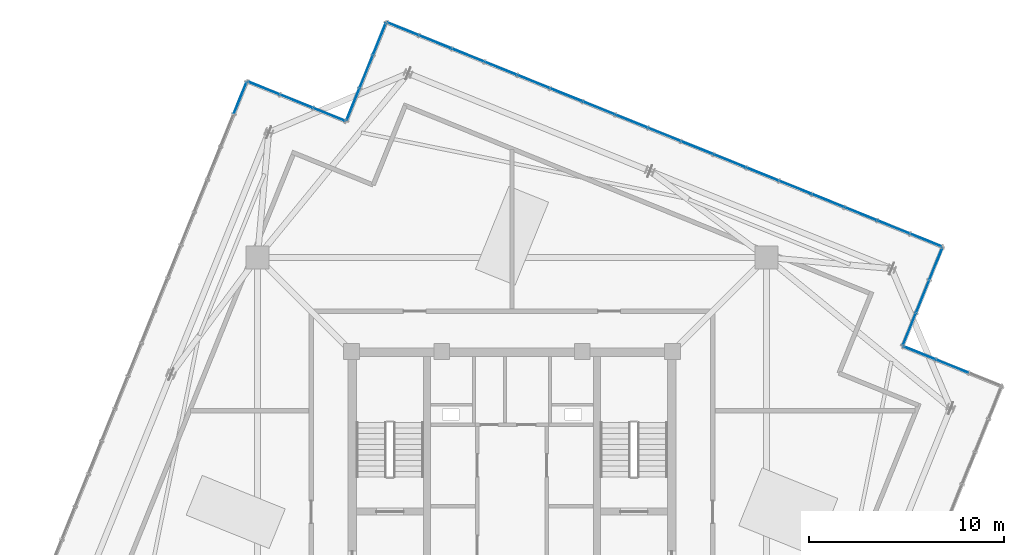
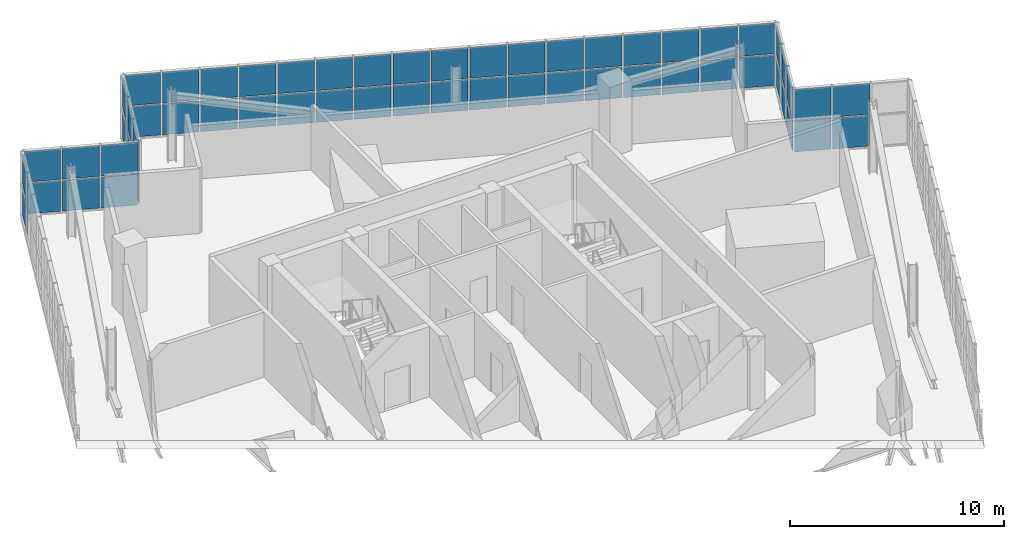
# One storey, part 20 of 26: 58 plates, 6 elements without a shape of their own.
"""IFC4 building model written with IfcOpenShell, lengths in metres."""

from ifc_helpers import new_model, si_unit, direction, frame, origin, origin_2d, place, context, subcontext, project, spatial, rectangle, extrude, source, transform, mapped, material, layer, layer_set, type_object, element, aggregate, save


model = new_model("IFC4")

# Units and contexts
model_context = context("Model", 3, precision=1e-05, world=origin(), true_north=direction((0.0, 1.0)))
body_context = subcontext(model_context, "Body", "Model", "MODEL_VIEW")
ifc_project = project(units=[si_unit("LENGTHUNIT", "METRE"), si_unit("AREAUNIT", "SQUARE_METRE"), si_unit("VOLUMEUNIT", "CUBIC_METRE"), si_unit("PLANEANGLEUNIT", "RADIAN"), si_unit("MASSUNIT", "GRAM", prefix="KILO"), si_unit("THERMODYNAMICTEMPERATUREUNIT", "KELVIN")], contexts=[model_context])

# Site, building, storey
site_placement = place(None, origin())
site = spatial("IfcSite", under=ifc_project, at=site_placement, CompositionType="ELEMENT")
building_placement = place(site_placement, origin())
building = spatial("IfcBuilding", under=site, at=building_placement, Name="Kosmvard Interchange Tower", CompositionType="ELEMENT")
storey_placement = place(building_placement, frame((0.0, 0.0, 325.60009765625)))
storey = spatial("IfcBuildingStorey", under=building, at=storey_placement, Name="L80", CompositionType="ELEMENT", Elevation=325.60009765625)

# Curtain wall, plates
ifc_material_1 = material(Name="Architectural anodised aluminium", Category="aluminium")
ifc_layer_1 = layer(ifc_material_1, 0.25, Name="Architectural anodised aluminium")
ifc_layer_set_1 = layer_set([ifc_layer_1], Name="Architectural anodised aluminium")
curtain_wall_type = type_object("IfcCurtainWallType", Name="CW-6 Illuminated Crown Lantern Curtain Wall", PredefinedType="NOTDEFINED", material=ifc_layer_set_1)
curtain_wall_1_placement = place(storey_placement, origin())
curtain_wall_1 = element("IfcCurtainWall", 1, at=curtain_wall_1_placement, inside=storey, type_object=curtain_wall_type, Name="L80 Crown Lantern Glazing Face 04", PredefinedType="NOTDEFINED")
ifc_material_2 = material(Name="Laminated acoustic lantern glazing", Category="glass")
ifc_layer_2 = layer(ifc_material_2, 0.035888671875, Name="Laminated acoustic lantern glazing")
ifc_layer_set_2 = layer_set([ifc_layer_2], Name="Laminated acoustic lantern glazing")
plate_type = type_object("IfcPlateType", Name="Lantern Diffused Illuminated Panel 36", PredefinedType="CURTAIN_PANEL", material=ifc_layer_set_2)
shared_shape_1 = source(origin(), body_context, "Body", "SweptSolid", [
    extrude(rectangle(XDim=1.694091796875, YDim=0.035888671875, at=origin_2d()), origin(), (0.0, 0.0, 1.0), 1.7451171875),
])
plate_1_placement = place(storey_placement, frame((21.2744140625, 13.967529296875, 0.06982421875), z_axis=(0.0, 0.0, 1.0), x_axis=(-0.927183858065, 0.374606584758, 0.0)))
plate_1 = element("IfcPlate", 2, at=plate_1_placement, type_object=plate_type, Name="CW-6 panel 1.1", PredefinedType="CURTAIN_PANEL", context=body_context, shape_type="MappedRepresentation", body=[
    mapped(shared_shape_1, transform((0.0, 0.0, 0.0), scale=1.0)),
])
plate_2_placement = place(storey_placement, frame((21.2744140625, 13.967529296875, 1.884765625), z_axis=(0.0, 0.0, 1.0), x_axis=(-0.927183858065, 0.374606584758, 0.0)))
plate_2 = element("IfcPlate", 3, at=plate_2_placement, type_object=plate_type, Name="CW-6 panel 1.2", PredefinedType="CURTAIN_PANEL", context=body_context, shape_type="MappedRepresentation", body=[
    mapped(shared_shape_1, transform((0.0, 0.0, 0.0), scale=1.0)),
])
plate_3_placement = place(storey_placement, frame((-5.600830078125, 24.825927734375, 0.06982421875), z_axis=(0.0, 0.0, 1.0), x_axis=(-0.927183858065, 0.374606584758, 0.0)))
plate_3 = element("IfcPlate", 4, at=plate_3_placement, type_object=plate_type, Name="CW-6 panel 17.1", PredefinedType="CURTAIN_PANEL", context=body_context, shape_type="MappedRepresentation", body=[
    mapped(shared_shape_1, transform((0.0, 0.0, 0.0), scale=1.0)),
])
plate_4_placement = place(storey_placement, frame((-5.600830078125, 24.825927734375, 1.884765625), z_axis=(0.0, 0.0, 1.0), x_axis=(-0.927183858065, 0.374606584758, 0.0)))
plate_4 = element("IfcPlate", 5, at=plate_4_placement, type_object=plate_type, Name="CW-6 panel 17.2", PredefinedType="CURTAIN_PANEL", context=body_context, shape_type="MappedRepresentation", body=[
    mapped(shared_shape_1, transform((0.0, 0.0, 0.0), scale=1.0)),
])

curtain_wall_2_placement = place(storey_placement, origin())
curtain_wall_2 = element("IfcCurtainWall", 6, at=curtain_wall_2_placement, inside=storey, type_object=curtain_wall_type, Name="L80 Crown Lantern Glazing Face 07", PredefinedType="NOTDEFINED")
plate_5_placement = place(storey_placement, frame((-13.967529296875, 21.2744140625, 0.06982421875), z_axis=(0.0, 0.0, 1.0), x_axis=(-0.374606584758, -0.927183858065, 0.0)))
plate_5 = element("IfcPlate", 7, at=plate_5_placement, type_object=plate_type, Name="CW-6 panel 1.1", PredefinedType="CURTAIN_PANEL", context=body_context, shape_type="MappedRepresentation", body=[
    mapped(shared_shape_1, transform((0.0, 0.0, 0.0), scale=1.0)),
])
plate_6_placement = place(storey_placement, frame((-13.967529296875, 21.2744140625, 1.884765625), z_axis=(0.0, 0.0, 1.0), x_axis=(-0.374606584758, -0.927183858065, 0.0)))
plate_6 = element("IfcPlate", 8, at=plate_6_placement, type_object=plate_type, Name="CW-6 panel 1.2", PredefinedType="CURTAIN_PANEL", context=body_context, shape_type="MappedRepresentation", body=[
    mapped(shared_shape_1, transform((0.0, 0.0, 0.0), scale=1.0)),
])
aggregate(curtain_wall_2, [plate_5, plate_6])

# Plate
shared_shape_2 = source(origin(), body_context, "Body", "SweptSolid", [
    extrude(rectangle(XDim=1.734130859375, YDim=0.035888671875, at=origin_2d()), origin(), (0.0, 0.0, 1.0), 1.7451171875),
])
plate_7_placement = place(storey_placement, frame((19.61083984375, 14.6396484375, 0.06982421875), z_axis=(0.0, 0.0, 1.0), x_axis=(-0.927183858065, 0.374606584758, 0.0)))
plate_7 = element("IfcPlate", 9, at=plate_7_placement, type_object=plate_type, Name="CW-6 panel 2.1", PredefinedType="CURTAIN_PANEL", context=body_context, shape_type="MappedRepresentation", body=[
    mapped(shared_shape_2, transform((0.0, 0.0, 0.0), scale=1.0)),
])

plate_8_placement = place(storey_placement, frame((19.61083984375, 14.6396484375, 1.884765625), z_axis=(0.0, 0.0, 1.0), x_axis=(-0.927183858065, 0.374606584758, 0.0)))
plate_8 = element("IfcPlate", 10, at=plate_8_placement, type_object=plate_type, Name="CW-6 panel 2.2", PredefinedType="CURTAIN_PANEL", context=body_context, shape_type="MappedRepresentation", body=[
    mapped(shared_shape_2, transform((0.0, 0.0, 0.0), scale=1.0)),
])

plate_9_placement = place(storey_placement, frame((17.928955078125, 15.319091796875, 0.06982421875), z_axis=(0.0, 0.0, 1.0), x_axis=(-0.927183858065, 0.374606584758, 0.0)))
plate_9 = element("IfcPlate", 11, at=plate_9_placement, type_object=plate_type, Name="CW-6 panel 3.1", PredefinedType="CURTAIN_PANEL", context=body_context, shape_type="MappedRepresentation", body=[
    mapped(shared_shape_2, transform((0.0, 0.0, 0.0), scale=1.0)),
])

plate_10_placement = place(storey_placement, frame((17.928955078125, 15.319091796875, 1.884765625), z_axis=(0.0, 0.0, 1.0), x_axis=(-0.927183858065, 0.374606584758, 0.0)))
plate_10 = element("IfcPlate", 12, at=plate_10_placement, type_object=plate_type, Name="CW-6 panel 3.2", PredefinedType="CURTAIN_PANEL", context=body_context, shape_type="MappedRepresentation", body=[
    mapped(shared_shape_2, transform((0.0, 0.0, 0.0), scale=1.0)),
])

plate_11_placement = place(storey_placement, frame((16.246826171875, 15.998779296875, 0.06982421875), z_axis=(0.0, 0.0, 1.0), x_axis=(-0.927183858065, 0.374606584758, 0.0)))
plate_11 = element("IfcPlate", 13, at=plate_11_placement, type_object=plate_type, Name="CW-6 panel 4.1", PredefinedType="CURTAIN_PANEL", context=body_context, shape_type="MappedRepresentation", body=[
    mapped(shared_shape_2, transform((0.0, 0.0, 0.0), scale=1.0)),
])

plate_12_placement = place(storey_placement, frame((16.246826171875, 15.998779296875, 1.884765625), z_axis=(0.0, 0.0, 1.0), x_axis=(-0.927183858065, 0.374606584758, 0.0)))
plate_12 = element("IfcPlate", 14, at=plate_12_placement, type_object=plate_type, Name="CW-6 panel 4.2", PredefinedType="CURTAIN_PANEL", context=body_context, shape_type="MappedRepresentation", body=[
    mapped(shared_shape_2, transform((0.0, 0.0, 0.0), scale=1.0)),
])

plate_13_placement = place(storey_placement, frame((14.56494140625, 16.678466796875, 0.06982421875), z_axis=(0.0, 0.0, 1.0), x_axis=(-0.927183858065, 0.374606584758, 0.0)))
plate_13 = element("IfcPlate", 15, at=plate_13_placement, type_object=plate_type, Name="CW-6 panel 5.1", PredefinedType="CURTAIN_PANEL", context=body_context, shape_type="MappedRepresentation", body=[
    mapped(shared_shape_2, transform((0.0, 0.0, 0.0), scale=1.0)),
])

plate_14_placement = place(storey_placement, frame((14.56494140625, 16.678466796875, 1.884765625), z_axis=(0.0, 0.0, 1.0), x_axis=(-0.927183858065, 0.374606584758, 0.0)))
plate_14 = element("IfcPlate", 16, at=plate_14_placement, type_object=plate_type, Name="CW-6 panel 5.2", PredefinedType="CURTAIN_PANEL", context=body_context, shape_type="MappedRepresentation", body=[
    mapped(shared_shape_2, transform((0.0, 0.0, 0.0), scale=1.0)),
])

plate_15_placement = place(storey_placement, frame((12.8828125, 17.35791015625, 0.06982421875), z_axis=(0.0, 0.0, 1.0), x_axis=(-0.927183858065, 0.374606584758, 0.0)))
plate_15 = element("IfcPlate", 17, at=plate_15_placement, type_object=plate_type, Name="CW-6 panel 6.1", PredefinedType="CURTAIN_PANEL", context=body_context, shape_type="MappedRepresentation", body=[
    mapped(shared_shape_2, transform((0.0, 0.0, 0.0), scale=1.0)),
])

plate_16_placement = place(storey_placement, frame((12.8828125, 17.35791015625, 1.884765625), z_axis=(0.0, 0.0, 1.0), x_axis=(-0.927183858065, 0.374606584758, 0.0)))
plate_16 = element("IfcPlate", 18, at=plate_16_placement, type_object=plate_type, Name="CW-6 panel 6.2", PredefinedType="CURTAIN_PANEL", context=body_context, shape_type="MappedRepresentation", body=[
    mapped(shared_shape_2, transform((0.0, 0.0, 0.0), scale=1.0)),
])

plate_17_placement = place(storey_placement, frame((11.200927734375, 18.03759765625, 0.06982421875), z_axis=(0.0, 0.0, 1.0), x_axis=(-0.927183858065, 0.374606584758, 0.0)))
plate_17 = element("IfcPlate", 19, at=plate_17_placement, type_object=plate_type, Name="CW-6 panel 7.1", PredefinedType="CURTAIN_PANEL", context=body_context, shape_type="MappedRepresentation", body=[
    mapped(shared_shape_2, transform((0.0, 0.0, 0.0), scale=1.0)),
])

plate_18_placement = place(storey_placement, frame((11.200927734375, 18.03759765625, 1.884765625), z_axis=(0.0, 0.0, 1.0), x_axis=(-0.927183858065, 0.374606584758, 0.0)))
plate_18 = element("IfcPlate", 20, at=plate_18_placement, type_object=plate_type, Name="CW-6 panel 7.2", PredefinedType="CURTAIN_PANEL", context=body_context, shape_type="MappedRepresentation", body=[
    mapped(shared_shape_2, transform((0.0, 0.0, 0.0), scale=1.0)),
])

plate_19_placement = place(storey_placement, frame((9.518798828125, 18.717041015625, 0.06982421875), z_axis=(0.0, 0.0, 1.0), x_axis=(-0.927183858065, 0.374606584758, 0.0)))
plate_19 = element("IfcPlate", 21, at=plate_19_placement, type_object=plate_type, Name="CW-6 panel 8.1", PredefinedType="CURTAIN_PANEL", context=body_context, shape_type="MappedRepresentation", body=[
    mapped(shared_shape_2, transform((0.0, 0.0, 0.0), scale=1.0)),
])

plate_20_placement = place(storey_placement, frame((9.518798828125, 18.717041015625, 1.884765625), z_axis=(0.0, 0.0, 1.0), x_axis=(-0.927183858065, 0.374606584758, 0.0)))
plate_20 = element("IfcPlate", 22, at=plate_20_placement, type_object=plate_type, Name="CW-6 panel 8.2", PredefinedType="CURTAIN_PANEL", context=body_context, shape_type="MappedRepresentation", body=[
    mapped(shared_shape_2, transform((0.0, 0.0, 0.0), scale=1.0)),
])

plate_21_placement = place(storey_placement, frame((7.836669921875, 19.396728515625, 0.06982421875), z_axis=(0.0, 0.0, 1.0), x_axis=(-0.927183858065, 0.374606584758, 0.0)))
plate_21 = element("IfcPlate", 23, at=plate_21_placement, type_object=plate_type, Name="CW-6 panel 9.1", PredefinedType="CURTAIN_PANEL", context=body_context, shape_type="MappedRepresentation", body=[
    mapped(shared_shape_2, transform((0.0, 0.0, 0.0), scale=1.0)),
])

plate_22_placement = place(storey_placement, frame((7.836669921875, 19.396728515625, 1.884765625), z_axis=(0.0, 0.0, 1.0), x_axis=(-0.927183858065, 0.374606584758, 0.0)))
plate_22 = element("IfcPlate", 24, at=plate_22_placement, type_object=plate_type, Name="CW-6 panel 9.2", PredefinedType="CURTAIN_PANEL", context=body_context, shape_type="MappedRepresentation", body=[
    mapped(shared_shape_2, transform((0.0, 0.0, 0.0), scale=1.0)),
])

plate_23_placement = place(storey_placement, frame((6.15478515625, 20.076171875, 0.06982421875), z_axis=(0.0, 0.0, 1.0), x_axis=(-0.927183858065, 0.374606584758, 0.0)))
plate_23 = element("IfcPlate", 25, at=plate_23_placement, type_object=plate_type, Name="CW-6 panel 10.1", PredefinedType="CURTAIN_PANEL", context=body_context, shape_type="MappedRepresentation", body=[
    mapped(shared_shape_2, transform((0.0, 0.0, 0.0), scale=1.0)),
])

plate_24_placement = place(storey_placement, frame((6.15478515625, 20.076171875, 1.884765625), z_axis=(0.0, 0.0, 1.0), x_axis=(-0.927183858065, 0.374606584758, 0.0)))
plate_24 = element("IfcPlate", 26, at=plate_24_placement, type_object=plate_type, Name="CW-6 panel 10.2", PredefinedType="CURTAIN_PANEL", context=body_context, shape_type="MappedRepresentation", body=[
    mapped(shared_shape_2, transform((0.0, 0.0, 0.0), scale=1.0)),
])

plate_25_placement = place(storey_placement, frame((4.47265625, 20.755859375, 0.06982421875), z_axis=(0.0, 0.0, 1.0), x_axis=(-0.927183858065, 0.374606584758, 0.0)))
plate_25 = element("IfcPlate", 27, at=plate_25_placement, type_object=plate_type, Name="CW-6 panel 11.1", PredefinedType="CURTAIN_PANEL", context=body_context, shape_type="MappedRepresentation", body=[
    mapped(shared_shape_2, transform((0.0, 0.0, 0.0), scale=1.0)),
])

plate_26_placement = place(storey_placement, frame((4.47265625, 20.755859375, 1.884765625), z_axis=(0.0, 0.0, 1.0), x_axis=(-0.927183858065, 0.374606584758, 0.0)))
plate_26 = element("IfcPlate", 28, at=plate_26_placement, type_object=plate_type, Name="CW-6 panel 11.2", PredefinedType="CURTAIN_PANEL", context=body_context, shape_type="MappedRepresentation", body=[
    mapped(shared_shape_2, transform((0.0, 0.0, 0.0), scale=1.0)),
])

plate_27_placement = place(storey_placement, frame((2.790771484375, 21.435546875, 0.06982421875), z_axis=(0.0, 0.0, 1.0), x_axis=(-0.927183858065, 0.374606584758, 0.0)))
plate_27 = element("IfcPlate", 29, at=plate_27_placement, type_object=plate_type, Name="CW-6 panel 12.1", PredefinedType="CURTAIN_PANEL", context=body_context, shape_type="MappedRepresentation", body=[
    mapped(shared_shape_2, transform((0.0, 0.0, 0.0), scale=1.0)),
])

plate_28_placement = place(storey_placement, frame((2.790771484375, 21.435546875, 1.884765625), z_axis=(0.0, 0.0, 1.0), x_axis=(-0.927183858065, 0.374606584758, 0.0)))
plate_28 = element("IfcPlate", 30, at=plate_28_placement, type_object=plate_type, Name="CW-6 panel 12.2", PredefinedType="CURTAIN_PANEL", context=body_context, shape_type="MappedRepresentation", body=[
    mapped(shared_shape_2, transform((0.0, 0.0, 0.0), scale=1.0)),
])

plate_29_placement = place(storey_placement, frame((1.108642578125, 22.114990234375, 0.06982421875), z_axis=(0.0, 0.0, 1.0), x_axis=(-0.927183858065, 0.374606584758, 0.0)))
plate_29 = element("IfcPlate", 31, at=plate_29_placement, type_object=plate_type, Name="CW-6 panel 13.1", PredefinedType="CURTAIN_PANEL", context=body_context, shape_type="MappedRepresentation", body=[
    mapped(shared_shape_2, transform((0.0, 0.0, 0.0), scale=1.0)),
])

plate_30_placement = place(storey_placement, frame((1.108642578125, 22.114990234375, 1.884765625), z_axis=(0.0, 0.0, 1.0), x_axis=(-0.927183858065, 0.374606584758, 0.0)))
plate_30 = element("IfcPlate", 32, at=plate_30_placement, type_object=plate_type, Name="CW-6 panel 13.2", PredefinedType="CURTAIN_PANEL", context=body_context, shape_type="MappedRepresentation", body=[
    mapped(shared_shape_2, transform((0.0, 0.0, 0.0), scale=1.0)),
])

plate_31_placement = place(storey_placement, frame((-0.5732421875, 22.794677734375, 0.06982421875), z_axis=(0.0, 0.0, 1.0), x_axis=(-0.927183858065, 0.374606584758, 0.0)))
plate_31 = element("IfcPlate", 33, at=plate_31_placement, type_object=plate_type, Name="CW-6 panel 14.1", PredefinedType="CURTAIN_PANEL", context=body_context, shape_type="MappedRepresentation", body=[
    mapped(shared_shape_2, transform((0.0, 0.0, 0.0), scale=1.0)),
])

plate_32_placement = place(storey_placement, frame((-0.5732421875, 22.794677734375, 1.884765625), z_axis=(0.0, 0.0, 1.0), x_axis=(-0.927183858065, 0.374606584758, 0.0)))
plate_32 = element("IfcPlate", 34, at=plate_32_placement, type_object=plate_type, Name="CW-6 panel 14.2", PredefinedType="CURTAIN_PANEL", context=body_context, shape_type="MappedRepresentation", body=[
    mapped(shared_shape_2, transform((0.0, 0.0, 0.0), scale=1.0)),
])

plate_33_placement = place(storey_placement, frame((-2.25537109375, 23.47412109375, 0.06982421875), z_axis=(0.0, 0.0, 1.0), x_axis=(-0.927183858065, 0.374606584758, 0.0)))
plate_33 = element("IfcPlate", 35, at=plate_33_placement, type_object=plate_type, Name="CW-6 panel 15.1", PredefinedType="CURTAIN_PANEL", context=body_context, shape_type="MappedRepresentation", body=[
    mapped(shared_shape_2, transform((0.0, 0.0, 0.0), scale=1.0)),
])

plate_34_placement = place(storey_placement, frame((-2.25537109375, 23.47412109375, 1.884765625), z_axis=(0.0, 0.0, 1.0), x_axis=(-0.927183858065, 0.374606584758, 0.0)))
plate_34 = element("IfcPlate", 36, at=plate_34_placement, type_object=plate_type, Name="CW-6 panel 15.2", PredefinedType="CURTAIN_PANEL", context=body_context, shape_type="MappedRepresentation", body=[
    mapped(shared_shape_2, transform((0.0, 0.0, 0.0), scale=1.0)),
])

plate_35_placement = place(storey_placement, frame((-3.937255859375, 24.15380859375, 0.06982421875), z_axis=(0.0, 0.0, 1.0), x_axis=(-0.927183858065, 0.374606584758, 0.0)))
plate_35 = element("IfcPlate", 37, at=plate_35_placement, type_object=plate_type, Name="CW-6 panel 16.1", PredefinedType="CURTAIN_PANEL", context=body_context, shape_type="MappedRepresentation", body=[
    mapped(shared_shape_2, transform((0.0, 0.0, 0.0), scale=1.0)),
])

plate_36_placement = place(storey_placement, frame((-3.937255859375, 24.15380859375, 1.884765625), z_axis=(0.0, 0.0, 1.0), x_axis=(-0.927183858065, 0.374606584758, 0.0)))
plate_36 = element("IfcPlate", 38, at=plate_36_placement, type_object=plate_type, Name="CW-6 panel 16.2", PredefinedType="CURTAIN_PANEL", context=body_context, shape_type="MappedRepresentation", body=[
    mapped(shared_shape_2, transform((0.0, 0.0, 0.0), scale=1.0)),
])

aggregate(curtain_wall_1, [plate_1, plate_2, plate_7, plate_8, plate_9, plate_10, plate_11, plate_12, plate_13, plate_14, plate_15, plate_16, plate_17, plate_18, plate_19, plate_20, plate_21, plate_22, plate_23, plate_24, plate_25, plate_26, plate_27, plate_28, plate_29, plate_30, plate_31, plate_32, plate_33, plate_34, plate_35, plate_36, plate_3, plate_4])

# Curtain wall, plates
curtain_wall_3_placement = place(storey_placement, origin())
curtain_wall_3 = element("IfcCurtainWall", 39, at=curtain_wall_3_placement, inside=storey, type_object=curtain_wall_type, Name="L80 Crown Lantern Glazing Face 02", PredefinedType="NOTDEFINED")
shared_shape_3 = source(origin(), body_context, "Body", "SweptSolid", [
    extrude(rectangle(XDim=1.71337890625, YDim=0.035888671875, at=origin_2d()), origin(), (0.0, 0.0, 1.0), 1.7451171875),
])
plate_37_placement = place(storey_placement, frame((20.942138671875, 8.169921875, 0.06982421875), z_axis=(0.0, 0.0, 1.0), x_axis=(-0.92718386612, 0.374606564822, 0.0)))
plate_37 = element("IfcPlate", 40, at=plate_37_placement, type_object=plate_type, Name="CW-6 panel 3.1", PredefinedType="CURTAIN_PANEL", context=body_context, shape_type="MappedRepresentation", body=[
    mapped(shared_shape_3, transform((0.0, 0.0, 0.0), scale=1.0)),
])
plate_38_placement = place(storey_placement, frame((20.942138671875, 8.169921875, 1.884765625), z_axis=(0.0, 0.0, 1.0), x_axis=(-0.92718386612, 0.374606564822, 0.0)))
plate_38 = element("IfcPlate", 41, at=plate_38_placement, type_object=plate_type, Name="CW-6 panel 3.2", PredefinedType="CURTAIN_PANEL", context=body_context, shape_type="MappedRepresentation", body=[
    mapped(shared_shape_3, transform((0.0, 0.0, 0.0), scale=1.0)),
])

curtain_wall_4_placement = place(storey_placement, origin())
curtain_wall_4 = element("IfcCurtainWall", 42, at=curtain_wall_4_placement, inside=storey, type_object=curtain_wall_type, Name="L80 Crown Lantern Glazing Face 03", PredefinedType="NOTDEFINED")
plate_39_placement = place(storey_placement, frame((20.424560546875, 9.38916015625, 0.06982421875), z_axis=(0.0, 0.0, 1.0), x_axis=(0.374606501678, 0.927183891631, 0.0)))
plate_39 = element("IfcPlate", 43, at=plate_39_placement, type_object=plate_type, Name="CW-6 panel 1.1", PredefinedType="CURTAIN_PANEL", context=body_context, shape_type="MappedRepresentation", body=[
    mapped(shared_shape_3, transform((0.0, 0.0, 0.0), scale=1.0)),
])
plate_40_placement = place(storey_placement, frame((20.424560546875, 9.38916015625, 1.884765625), z_axis=(0.0, 0.0, 1.0), x_axis=(0.374606501678, 0.927183891631, 0.0)))
plate_40 = element("IfcPlate", 44, at=plate_40_placement, type_object=plate_type, Name="CW-6 panel 1.2", PredefinedType="CURTAIN_PANEL", context=body_context, shape_type="MappedRepresentation", body=[
    mapped(shared_shape_3, transform((0.0, 0.0, 0.0), scale=1.0)),
])
plate_41_placement = place(storey_placement, frame((21.782958984375, 12.751708984375, 0.06982421875), z_axis=(0.0, 0.0, 1.0), x_axis=(0.374606501678, 0.927183891631, 0.0)))
plate_41 = element("IfcPlate", 45, at=plate_41_placement, type_object=plate_type, Name="CW-6 panel 3.1", PredefinedType="CURTAIN_PANEL", context=body_context, shape_type="MappedRepresentation", body=[
    mapped(shared_shape_3, transform((0.0, 0.0, 0.0), scale=1.0)),
])
plate_42_placement = place(storey_placement, frame((21.782958984375, 12.751708984375, 1.884765625), z_axis=(0.0, 0.0, 1.0), x_axis=(0.374606501678, 0.927183891631, 0.0)))
plate_42 = element("IfcPlate", 46, at=plate_42_placement, type_object=plate_type, Name="CW-6 panel 3.2", PredefinedType="CURTAIN_PANEL", context=body_context, shape_type="MappedRepresentation", body=[
    mapped(shared_shape_3, transform((0.0, 0.0, 0.0), scale=1.0)),
])

curtain_wall_5_placement = place(storey_placement, origin())
curtain_wall_5 = element("IfcCurtainWall", 47, at=curtain_wall_5_placement, inside=storey, type_object=curtain_wall_type, Name="L80 Crown Lantern Glazing Face 05", PredefinedType="NOTDEFINED")
plate_43_placement = place(storey_placement, frame((-6.811279296875, 24.3046875, 0.06982421875), z_axis=(0.0, 0.0, 1.0), x_axis=(-0.374606564822, -0.92718386612, 0.0)))
plate_43 = element("IfcPlate", 48, at=plate_43_placement, type_object=plate_type, Name="CW-6 panel 1.1", PredefinedType="CURTAIN_PANEL", context=body_context, shape_type="MappedRepresentation", body=[
    mapped(shared_shape_3, transform((0.0, 0.0, 0.0), scale=1.0)),
])
plate_44_placement = place(storey_placement, frame((-6.811279296875, 24.3046875, 1.884765625), z_axis=(0.0, 0.0, 1.0), x_axis=(-0.374606564822, -0.92718386612, 0.0)))
plate_44 = element("IfcPlate", 49, at=plate_44_placement, type_object=plate_type, Name="CW-6 panel 1.2", PredefinedType="CURTAIN_PANEL", context=body_context, shape_type="MappedRepresentation", body=[
    mapped(shared_shape_3, transform((0.0, 0.0, 0.0), scale=1.0)),
])
plate_45_placement = place(storey_placement, frame((-8.169921875, 20.942138671875, 0.06982421875), z_axis=(0.0, 0.0, 1.0), x_axis=(-0.374606564822, -0.92718386612, 0.0)))
plate_45 = element("IfcPlate", 50, at=plate_45_placement, type_object=plate_type, Name="CW-6 panel 3.1", PredefinedType="CURTAIN_PANEL", context=body_context, shape_type="MappedRepresentation", body=[
    mapped(shared_shape_3, transform((0.0, 0.0, 0.0), scale=1.0)),
])
plate_46_placement = place(storey_placement, frame((-8.169921875, 20.942138671875, 1.884765625), z_axis=(0.0, 0.0, 1.0), x_axis=(-0.374606564822, -0.92718386612, 0.0)))
plate_46 = element("IfcPlate", 51, at=plate_46_placement, type_object=plate_type, Name="CW-6 panel 3.2", PredefinedType="CURTAIN_PANEL", context=body_context, shape_type="MappedRepresentation", body=[
    mapped(shared_shape_3, transform((0.0, 0.0, 0.0), scale=1.0)),
])

curtain_wall_6_placement = place(storey_placement, origin())
curtain_wall_6 = element("IfcCurtainWall", 52, at=curtain_wall_6_placement, inside=storey, type_object=curtain_wall_type, Name="L80 Crown Lantern Glazing Face 06", PredefinedType="NOTDEFINED")
plate_47_placement = place(storey_placement, frame((-9.38916015625, 20.424560546875, 0.06982421875), z_axis=(0.0, 0.0, 1.0), x_axis=(-0.927183891631, 0.374606501678, 0.0)))
plate_47 = element("IfcPlate", 53, at=plate_47_placement, type_object=plate_type, Name="CW-6 panel 1.1", PredefinedType="CURTAIN_PANEL", context=body_context, shape_type="MappedRepresentation", body=[
    mapped(shared_shape_3, transform((0.0, 0.0, 0.0), scale=1.0)),
])
plate_48_placement = place(storey_placement, frame((-9.38916015625, 20.424560546875, 1.884765625), z_axis=(0.0, 0.0, 1.0), x_axis=(-0.927183891631, 0.374606501678, 0.0)))
plate_48 = element("IfcPlate", 54, at=plate_48_placement, type_object=plate_type, Name="CW-6 panel 1.2", PredefinedType="CURTAIN_PANEL", context=body_context, shape_type="MappedRepresentation", body=[
    mapped(shared_shape_3, transform((0.0, 0.0, 0.0), scale=1.0)),
])
plate_49_placement = place(storey_placement, frame((-12.751708984375, 21.782958984375, 0.06982421875), z_axis=(0.0, 0.0, 1.0), x_axis=(-0.927183891631, 0.374606501678, 0.0)))
plate_49 = element("IfcPlate", 55, at=plate_49_placement, type_object=plate_type, Name="CW-6 panel 3.1", PredefinedType="CURTAIN_PANEL", context=body_context, shape_type="MappedRepresentation", body=[
    mapped(shared_shape_3, transform((0.0, 0.0, 0.0), scale=1.0)),
])
plate_50_placement = place(storey_placement, frame((-12.751708984375, 21.782958984375, 1.884765625), z_axis=(0.0, 0.0, 1.0), x_axis=(-0.927183891631, 0.374606501678, 0.0)))
plate_50 = element("IfcPlate", 56, at=plate_50_placement, type_object=plate_type, Name="CW-6 panel 3.2", PredefinedType="CURTAIN_PANEL", context=body_context, shape_type="MappedRepresentation", body=[
    mapped(shared_shape_3, transform((0.0, 0.0, 0.0), scale=1.0)),
])

# Plate
shared_shape_4 = source(origin(), body_context, "Body", "SweptSolid", [
    extrude(rectangle(XDim=1.75341796875, YDim=0.035888671875, at=origin_2d()), origin(), (0.0, 0.0, 1.0), 1.7451171875),
])
plate_51_placement = place(storey_placement, frame((22.623291015625, 7.490478515625, 0.06982421875), z_axis=(0.0, 0.0, 1.0), x_axis=(-0.92718386612, 0.374606564822, 0.0)))
plate_51 = element("IfcPlate", 57, at=plate_51_placement, type_object=plate_type, Name="CW-6 panel 2.1", PredefinedType="CURTAIN_PANEL", context=body_context, shape_type="MappedRepresentation", body=[
    mapped(shared_shape_4, transform((0.0, 0.0, 0.0), scale=1.0)),
])

plate_52_placement = place(storey_placement, frame((22.623291015625, 7.490478515625, 1.884765625), z_axis=(0.0, 0.0, 1.0), x_axis=(-0.92718386612, 0.374606564822, 0.0)))
plate_52 = element("IfcPlate", 58, at=plate_52_placement, type_object=plate_type, Name="CW-6 panel 2.2", PredefinedType="CURTAIN_PANEL", context=body_context, shape_type="MappedRepresentation", body=[
    mapped(shared_shape_4, transform((0.0, 0.0, 0.0), scale=1.0)),
])

aggregate(curtain_wall_3, [plate_51, plate_52, plate_37, plate_38])

plate_53_placement = place(storey_placement, frame((21.103759765625, 11.070556640625, 0.06982421875), z_axis=(0.0, 0.0, 1.0), x_axis=(0.374606501678, 0.927183891631, 0.0)))
plate_53 = element("IfcPlate", 59, at=plate_53_placement, type_object=plate_type, Name="CW-6 panel 2.1", PredefinedType="CURTAIN_PANEL", context=body_context, shape_type="MappedRepresentation", body=[
    mapped(shared_shape_4, transform((0.0, 0.0, 0.0), scale=1.0)),
])

plate_54_placement = place(storey_placement, frame((21.103759765625, 11.070556640625, 1.884765625), z_axis=(0.0, 0.0, 1.0), x_axis=(0.374606501678, 0.927183891631, 0.0)))
plate_54 = element("IfcPlate", 60, at=plate_54_placement, type_object=plate_type, Name="CW-6 panel 2.2", PredefinedType="CURTAIN_PANEL", context=body_context, shape_type="MappedRepresentation", body=[
    mapped(shared_shape_4, transform((0.0, 0.0, 0.0), scale=1.0)),
])

aggregate(curtain_wall_4, [plate_39, plate_40, plate_53, plate_54, plate_41, plate_42])

plate_55_placement = place(storey_placement, frame((-7.490478515625, 22.623291015625, 0.06982421875), z_axis=(0.0, 0.0, 1.0), x_axis=(-0.374606564822, -0.92718386612, 0.0)))
plate_55 = element("IfcPlate", 61, at=plate_55_placement, type_object=plate_type, Name="CW-6 panel 2.1", PredefinedType="CURTAIN_PANEL", context=body_context, shape_type="MappedRepresentation", body=[
    mapped(shared_shape_4, transform((0.0, 0.0, 0.0), scale=1.0)),
])

plate_56_placement = place(storey_placement, frame((-7.490478515625, 22.623291015625, 1.884765625), z_axis=(0.0, 0.0, 1.0), x_axis=(-0.374606564822, -0.92718386612, 0.0)))
plate_56 = element("IfcPlate", 62, at=plate_56_placement, type_object=plate_type, Name="CW-6 panel 2.2", PredefinedType="CURTAIN_PANEL", context=body_context, shape_type="MappedRepresentation", body=[
    mapped(shared_shape_4, transform((0.0, 0.0, 0.0), scale=1.0)),
])

aggregate(curtain_wall_5, [plate_43, plate_44, plate_55, plate_56, plate_45, plate_46])

plate_57_placement = place(storey_placement, frame((-11.070556640625, 21.103759765625, 0.06982421875), z_axis=(0.0, 0.0, 1.0), x_axis=(-0.927183891631, 0.374606501678, 0.0)))
plate_57 = element("IfcPlate", 63, at=plate_57_placement, type_object=plate_type, Name="CW-6 panel 2.1", PredefinedType="CURTAIN_PANEL", context=body_context, shape_type="MappedRepresentation", body=[
    mapped(shared_shape_4, transform((0.0, 0.0, 0.0), scale=1.0)),
])

plate_58_placement = place(storey_placement, frame((-11.070556640625, 21.103759765625, 1.884765625), z_axis=(0.0, 0.0, 1.0), x_axis=(-0.927183891631, 0.374606501678, 0.0)))
plate_58 = element("IfcPlate", 64, at=plate_58_placement, type_object=plate_type, Name="CW-6 panel 2.2", PredefinedType="CURTAIN_PANEL", context=body_context, shape_type="MappedRepresentation", body=[
    mapped(shared_shape_4, transform((0.0, 0.0, 0.0), scale=1.0)),
])

aggregate(curtain_wall_6, [plate_47, plate_48, plate_57, plate_58, plate_49, plate_50])

save(model, "model.ifc")
